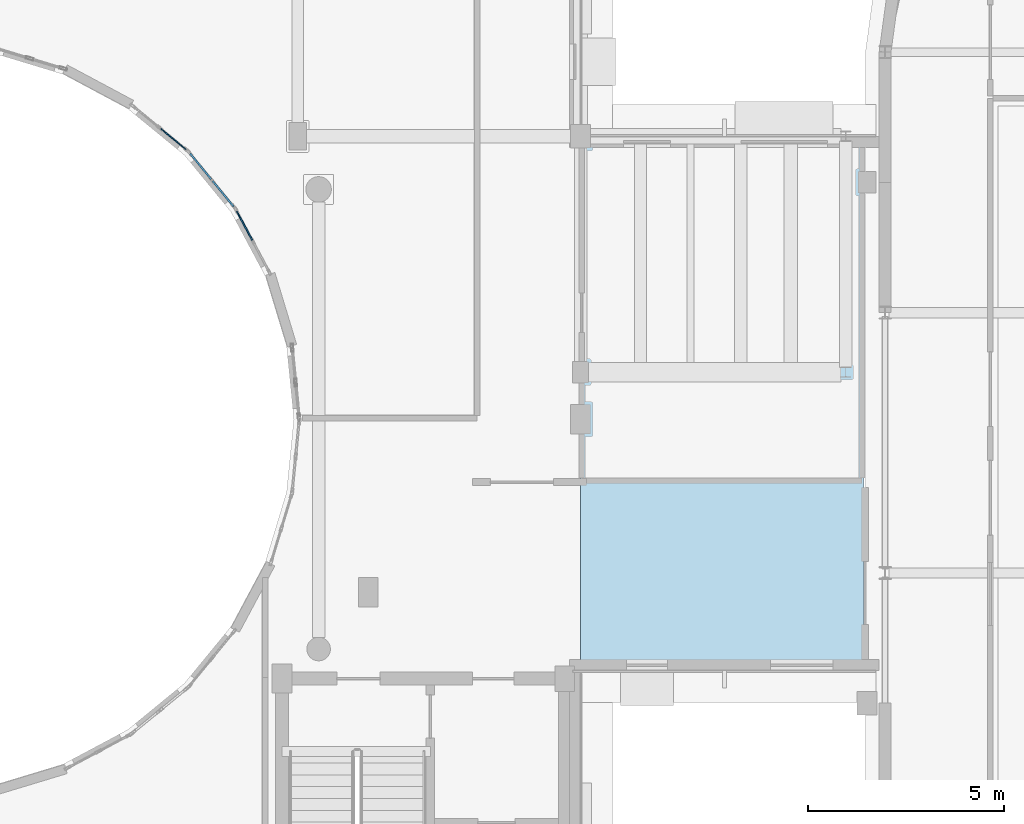
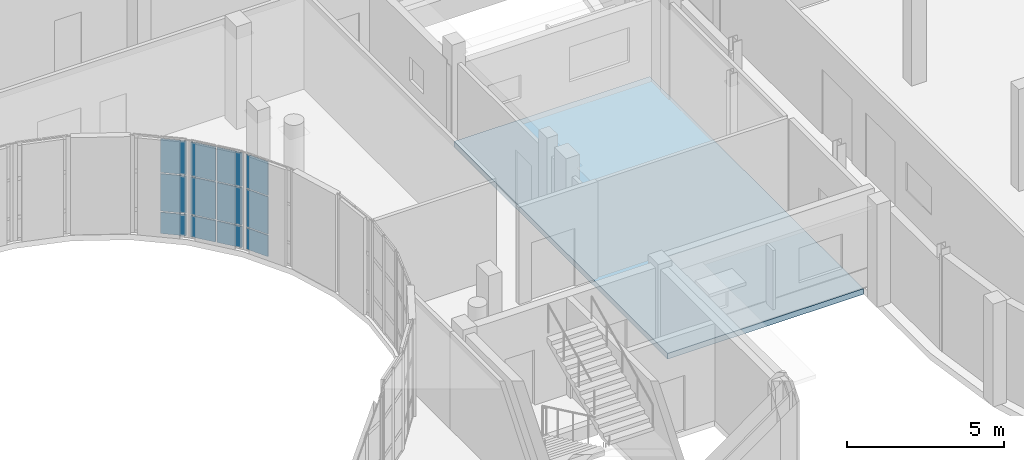
# One storey, part 69 of 105: 12 plates, 1 slab, 3 elements without a shape of their own.
"""IFC4 building model written with IfcOpenShell, lengths in metres."""

from ifc_helpers import new_model, si_unit, direction, frame, origin, origin_2d, place, context, subcontext, project, spatial, polyline, rectangle, outline, extrude, material, layer, layer_set, type_object, element, aggregate, save


model = new_model("IFC4")

# Units and contexts
model_context = context("Model", 3, precision=1e-05, world=origin(), true_north=direction((0.0, 1.0)))
body_context = subcontext(model_context, "Body", "Model", "MODEL_VIEW")
ifc_project = project(units=[si_unit("LENGTHUNIT", "METRE"), si_unit("AREAUNIT", "SQUARE_METRE"), si_unit("VOLUMEUNIT", "CUBIC_METRE"), si_unit("PLANEANGLEUNIT", "RADIAN"), si_unit("MASSUNIT", "GRAM", prefix="KILO")], contexts=[model_context])

# Site, building, storey
site_placement = place(None, origin())
site = spatial("IfcSite", under=ifc_project, at=site_placement, CompositionType="ELEMENT")
building_placement = place(site_placement, origin())
building = spatial("IfcBuilding", under=site, at=building_placement, Name="Kelanivale Promenade Academy", CompositionType="ELEMENT")
storey_placement = place(building_placement, frame((0.0, 0.0, 4.199951171875)))
storey = spatial("IfcBuildingStorey", under=building, at=storey_placement, Name="L01", CompositionType="ELEMENT", Elevation=4.199951171875)

# Curtain wall, plates
ifc_material_1 = material(Name="Bronze anodised aluminium and solar-control low-E glass", Category="aluminium")
ifc_layer_1 = layer(ifc_material_1, 0.169921875)
ifc_layer_set_1 = layer_set([ifc_layer_1], Name="Bronze anodised aluminium and solar-control low-E glass")
curtain_wall_type_1 = type_object("IfcCurtainWallType", Name="CW-07 Curtain Wall 1350mm Module", PredefinedType="USERDEFINED", material=ifc_layer_set_1)
curtain_wall_1_placement = place(storey_placement, origin())
curtain_wall_1 = element("IfcCurtainWall", 1, at=curtain_wall_1_placement, inside=storey, type_object=curtain_wall_type_1, Name="L01 courtyard curtain wall CW-07", ObjectType="UNITISED GLAZING", PredefinedType="USERDEFINED")
ifc_material_2 = material(Name="Solar-control double glazing 28 mm", Category="glass")
ifc_layer_2 = layer(ifc_material_2, 0.028076171875)
ifc_layer_set_2 = layer_set([ifc_layer_2], Name="Solar-control double glazing 28 mm")
plate_type_1 = type_object("IfcPlateType", Name="CWP-01 Plate 28mm", PredefinedType="CURTAIN_PANEL", material=ifc_layer_set_2)
plate_1_placement = place(storey_placement, frame((105.237548828125, 63.928955078125, 0.05029296875), z_axis=(0.0, 0.0, 1.0), x_axis=(-0.773257170269, 0.634092539482, 0.0)))
plate_1 = element("IfcPlate", 2, at=plate_1_placement, type_object=plate_type_1, Name="CW-07 panel 1.1", PredefinedType="CURTAIN_PANEL", context=body_context, shape_type="SweptSolid", body=[
    extrude(rectangle(XDim=0.825927734375, YDim=0.028076171875, at=origin_2d()), origin(), (0.0, 0.0, 1.0), 0.824951171875),
])
plate_2_placement = place(storey_placement, frame((105.237548828125, 63.928955078125, 0.92529296875), z_axis=(0.0, 0.0, 1.0), x_axis=(-0.773257170269, 0.634092539482, 0.0)))
plate_2 = element("IfcPlate", 3, at=plate_2_placement, type_object=plate_type_1, Name="CW-07 panel 1.2", PredefinedType="CURTAIN_PANEL", context=body_context, shape_type="SweptSolid", body=[
    extrude(rectangle(XDim=0.825927734375, YDim=0.028076171875, at=origin_2d()), origin(), (0.0, 0.0, 1.0), 1.449951171875),
])
plate_3_placement = place(storey_placement, frame((105.237548828125, 63.928955078125, 2.42529296875), z_axis=(0.0, 0.0, 1.0), x_axis=(-0.773257170269, 0.634092539482, 0.0)))
plate_3 = element("IfcPlate", 4, at=plate_3_placement, type_object=plate_type_1, Name="CW-07 panel 1.3", PredefinedType="CURTAIN_PANEL", context=body_context, shape_type="SweptSolid", body=[
    extrude(rectangle(XDim=0.825927734375, YDim=0.028076171875, at=origin_2d()), origin(), (0.0, 0.0, 1.0), 1.304931640625),
])
aggregate(curtain_wall_1, [plate_1, plate_2, plate_3])

ifc_layer_3 = layer(ifc_material_1, 0.179931640625)
ifc_layer_set_3 = layer_set([ifc_layer_3], Name="Bronze anodised aluminium and solar-control low-E glass")
curtain_wall_type_2 = type_object("IfcCurtainWallType", Name="CW-05 Curtain Wall 1950mm Module", PredefinedType="USERDEFINED", material=ifc_layer_set_3)
curtain_wall_2_placement = place(storey_placement, origin())
curtain_wall_2 = element("IfcCurtainWall", 5, at=curtain_wall_2_placement, inside=storey, type_object=curtain_wall_type_2, Name="L01 courtyard curtain wall CW-05", ObjectType="UNITISED GLAZING", PredefinedType="USERDEFINED")
ifc_material_3 = material(Name="Acoustic laminated double glazing 36 mm", Category="glass")
ifc_layer_4 = layer(ifc_material_3, 0.035888671875)
ifc_layer_set_4 = layer_set([ifc_layer_4], Name="Acoustic laminated double glazing 36 mm")
plate_type_2 = type_object("IfcPlateType", Name="CWP-02 Plate 36mm", PredefinedType="CURTAIN_PANEL", material=ifc_layer_set_4)
plate_4_placement = place(storey_placement, frame((107.046875, 61.723388671875, 0.05029296875), z_axis=(0.0, 0.0, 1.0), x_axis=(-0.471290193914, 0.881978204448, 0.0)))
plate_4 = element("IfcPlate", 6, at=plate_4_placement, type_object=plate_type_2, Name="CW-05 panel 2.1", PredefinedType="CURTAIN_PANEL", context=body_context, shape_type="SweptSolid", body=[
    extrude(rectangle(XDim=0.833984375, YDim=0.035888671875, at=origin_2d()), origin(), (0.0, 0.0, 1.0), 0.824951171875),
])
plate_5_placement = place(storey_placement, frame((107.046875, 61.723388671875, 0.92529296875), z_axis=(0.0, 0.0, 1.0), x_axis=(-0.471290193914, 0.881978204448, 0.0)))
plate_5 = element("IfcPlate", 7, at=plate_5_placement, type_object=plate_type_2, Name="CW-05 panel 2.2", PredefinedType="CURTAIN_PANEL", context=body_context, shape_type="SweptSolid", body=[
    extrude(rectangle(XDim=0.833984375, YDim=0.035888671875, at=origin_2d()), origin(), (0.0, 0.0, 1.0), 1.449951171875),
])
plate_6_placement = place(storey_placement, frame((107.046875, 61.723388671875, 2.42529296875), z_axis=(0.0, 0.0, 1.0), x_axis=(-0.471290193914, 0.881978204448, 0.0)))
plate_6 = element("IfcPlate", 8, at=plate_6_placement, type_object=plate_type_2, Name="CW-05 panel 2.3", PredefinedType="CURTAIN_PANEL", context=body_context, shape_type="SweptSolid", body=[
    extrude(rectangle(XDim=0.833984375, YDim=0.035888671875, at=origin_2d()), origin(), (0.0, 0.0, 1.0), 1.304931640625),
])
aggregate(curtain_wall_2, [plate_4, plate_5, plate_6])

ifc_layer_5 = layer(ifc_material_1, 0.159912109375)
ifc_layer_set_5 = layer_set([ifc_layer_5], Name="Bronze anodised aluminium and solar-control low-E glass")
curtain_wall_type_3 = type_object("IfcCurtainWallType", Name="CW-06 Curtain Wall 1200mm Module", PredefinedType="USERDEFINED", material=ifc_layer_set_5)
curtain_wall_3_placement = place(storey_placement, origin())
curtain_wall_3 = element("IfcCurtainWall", 9, at=curtain_wall_3_placement, inside=storey, type_object=curtain_wall_type_3, Name="L01 courtyard curtain wall CW-06", ObjectType="UNITISED GLAZING", PredefinedType="USERDEFINED")
ifc_material_4 = material(Name="Insulated bronze aluminium spandrel panel 44 mm", Category="aluminium")
ifc_layer_6 = layer(ifc_material_4, 0.0439453125)
ifc_layer_set_6 = layer_set([ifc_layer_6], Name="Insulated bronze aluminium spandrel panel 44 mm")
plate_type_3 = type_object("IfcPlateType", Name="CWP-03 Plate 44mm", PredefinedType="CURTAIN_PANEL", material=ifc_layer_set_6)
plate_7_placement = place(storey_placement, frame((106.502197265625, 62.53857421875, 0.05029296875), z_axis=(0.0, 0.0, 1.0), x_axis=(-0.634143799719, 0.773215132597, 0.0)))
plate_7 = element("IfcPlate", 10, at=plate_7_placement, type_object=plate_type_3, Name="CW-06 panel 1.1", PredefinedType="CURTAIN_PANEL", context=body_context, shape_type="SweptSolid", body=[
    extrude(rectangle(XDim=0.841064453125, YDim=0.0439453125, at=origin_2d()), origin(), (0.0, 0.0, 1.0), 0.824951171875),
])
plate_8_placement = place(storey_placement, frame((106.502197265625, 62.53857421875, 0.92529296875), z_axis=(0.0, 0.0, 1.0), x_axis=(-0.634143799719, 0.773215132597, 0.0)))
plate_8 = element("IfcPlate", 11, at=plate_8_placement, type_object=plate_type_3, Name="CW-06 panel 1.2", PredefinedType="CURTAIN_PANEL", context=body_context, shape_type="SweptSolid", body=[
    extrude(rectangle(XDim=0.841064453125, YDim=0.0439453125, at=origin_2d()), origin(), (0.0, 0.0, 1.0), 1.449951171875),
])
plate_9_placement = place(storey_placement, frame((106.502197265625, 62.53857421875, 2.42529296875), z_axis=(0.0, 0.0, 1.0), x_axis=(-0.634143799719, 0.773215132597, 0.0)))
plate_9 = element("IfcPlate", 12, at=plate_9_placement, type_object=plate_type_3, Name="CW-06 panel 1.3", PredefinedType="CURTAIN_PANEL", context=body_context, shape_type="SweptSolid", body=[
    extrude(rectangle(XDim=0.841064453125, YDim=0.0439453125, at=origin_2d()), origin(), (0.0, 0.0, 1.0), 1.304931640625),
])
plate_10_placement = place(storey_placement, frame((105.9306640625, 63.2353515625, 0.05029296875), z_axis=(0.0, 0.0, 1.0), x_axis=(-0.634143799719, 0.773215132597, 0.0)))
plate_10 = element("IfcPlate", 13, at=plate_10_placement, type_object=plate_type_3, Name="CW-06 panel 2.1", PredefinedType="CURTAIN_PANEL", context=body_context, shape_type="SweptSolid", body=[
    extrude(rectangle(XDim=0.841064453125, YDim=0.0439453125, at=origin_2d()), origin(), (0.0, 0.0, 1.0), 0.824951171875),
])
plate_11_placement = place(storey_placement, frame((105.9306640625, 63.2353515625, 0.92529296875), z_axis=(0.0, 0.0, 1.0), x_axis=(-0.634143799719, 0.773215132597, 0.0)))
plate_11 = element("IfcPlate", 14, at=plate_11_placement, type_object=plate_type_3, Name="CW-06 panel 2.2", PredefinedType="CURTAIN_PANEL", context=body_context, shape_type="SweptSolid", body=[
    extrude(rectangle(XDim=0.841064453125, YDim=0.0439453125, at=origin_2d()), origin(), (0.0, 0.0, 1.0), 1.449951171875),
])
plate_12_placement = place(storey_placement, frame((105.9306640625, 63.2353515625, 2.42529296875), z_axis=(0.0, 0.0, 1.0), x_axis=(-0.634143799719, 0.773215132597, 0.0)))
plate_12 = element("IfcPlate", 15, at=plate_12_placement, type_object=plate_type_3, Name="CW-06 panel 2.3", PredefinedType="CURTAIN_PANEL", context=body_context, shape_type="SweptSolid", body=[
    extrude(rectangle(XDim=0.841064453125, YDim=0.0439453125, at=origin_2d()), origin(), (0.0, 0.0, 1.0), 1.304931640625),
])
aggregate(curtain_wall_3, [plate_7, plate_8, plate_9, plate_10, plate_11, plate_12])

# Slab
ifc_material_5 = material(Name="Concrete C35/45", Category="concrete")
ifc_layer_7 = layer(ifc_material_5, 0.219970703125)
ifc_layer_set_7 = layer_set([ifc_layer_7], Name="Concrete C35/45")
slab_type = type_object("IfcSlabType", Name="FS-01 Slab 220mm", PredefinedType="FLOOR", material=ifc_layer_set_7)
slab_placement = place(storey_placement, frame((0.0, 0.0, -0.219970703125)))
element("IfcSlab", 16, at=slab_placement, inside=storey, type_object=slab_type, Name="L01 structural slab SLB-L01-V4FE", PredefinedType="FLOOR", context=body_context, shape_type="SweptSolid", body=[
    extrude(outline(polyline([(122.800048828125, 50.39990234375), (122.800048828125, 64.0), (115.60009765625, 64.0), (115.60009765625, 50.39990234375), (122.800048828125, 50.39990234375)])), origin(), (0.0, 0.0, 1.0), 0.219970703125),
])

save(model, "model.ifc")
